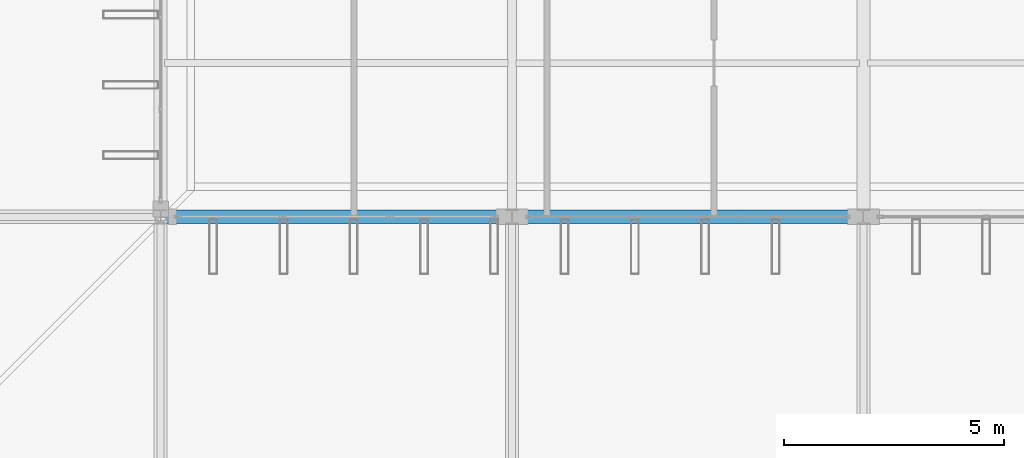
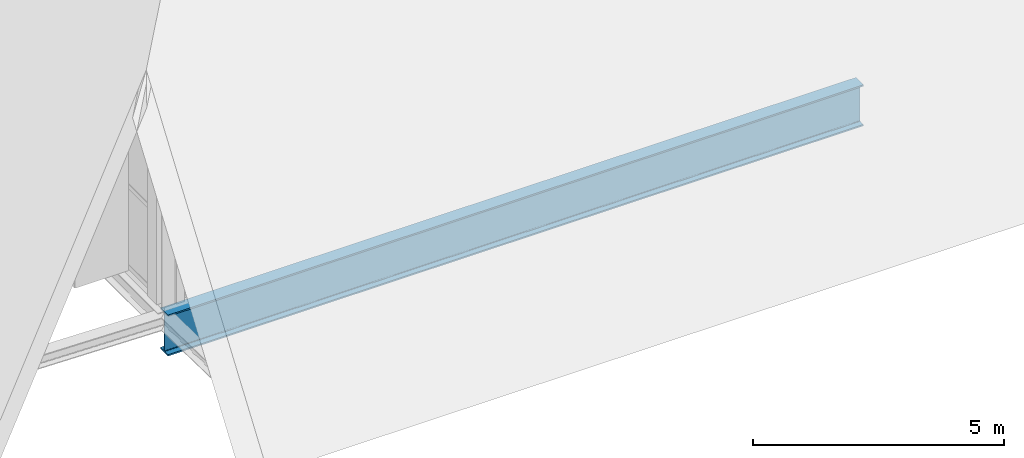
# One storey, part 17 of 93: 1 beam.
"""IFC4 building model written with IfcOpenShell, lengths in metres."""

from ifc_helpers import new_model, si_unit, direction, frame, origin, origin_2d, place, context, subcontext, project, spatial, i_section, extrude, material, material_profile, profile_set, type_object, element, save


model = new_model("IFC4")

# Units and contexts
model_context = context("Model", 3, precision=1e-05, world=origin(), true_north=direction((0.0, 1.0)))
body_context = subcontext(model_context, "Body", "Model", "MODEL_VIEW")
ifc_project = project(units=[si_unit("LENGTHUNIT", "METRE"), si_unit("AREAUNIT", "SQUARE_METRE"), si_unit("VOLUMEUNIT", "CUBIC_METRE"), si_unit("PLANEANGLEUNIT", "RADIAN"), si_unit("MASSUNIT", "GRAM", prefix="KILO")], contexts=[model_context])

# Site, building, storey
site_placement = place(None, origin())
site = spatial("IfcSite", under=ifc_project, at=site_placement, CompositionType="ELEMENT")
building_placement = place(site_placement, origin())
building = spatial("IfcBuilding", under=site, at=building_placement, Name="Vekula Escarpment Museum", CompositionType="ELEMENT")
storey_placement = place(building_placement, frame((0.0, 0.0, 22.199951171875)))
storey = spatial("IfcBuildingStorey", under=building, at=storey_placement, Name="L05", CompositionType="ELEMENT", Elevation=22.199951171875)

# Beam
ifc_material = material(Name="Steel S355", Category="steel")
ifc_material_profile = material_profile(ifc_material, i_section(OverallWidth=0.300048828125, OverallDepth=1.0, WebThickness=0.01904296875, FlangeThickness=0.035888671875, FilletRadius=0.030029296875, at=origin_2d()), Name="HEB 1000")
ifc_profile_set = profile_set([ifc_material_profile], Name="Steel S355")
beam_type = type_object("IfcBeamType", Name="BM-TRUSS-CHORD-BOT", PredefinedType="BEAM", material=ifc_profile_set)
beam_placement = place(storey_placement, frame((70.0, 45.60009765625, -0.719970703125), z_axis=(1.0, 0.0, 0.0), x_axis=(0.0, 1.0, 0.0)))
element("IfcBeam", 1, at=beam_placement, inside=storey, type_object=beam_type, Name="Beam X L05 1957", PredefinedType="BEAM", context=body_context, shape_type="SweptSolid", body=[
    extrude(i_section(OverallWidth=0.300048828125, OverallDepth=1.0, WebThickness=0.01904296875, FlangeThickness=0.035888671875, FilletRadius=0.030029296875, at=origin_2d()), origin(), (0.0, 0.0, 1.0), 16.0),
])

save(model, "model.ifc")
